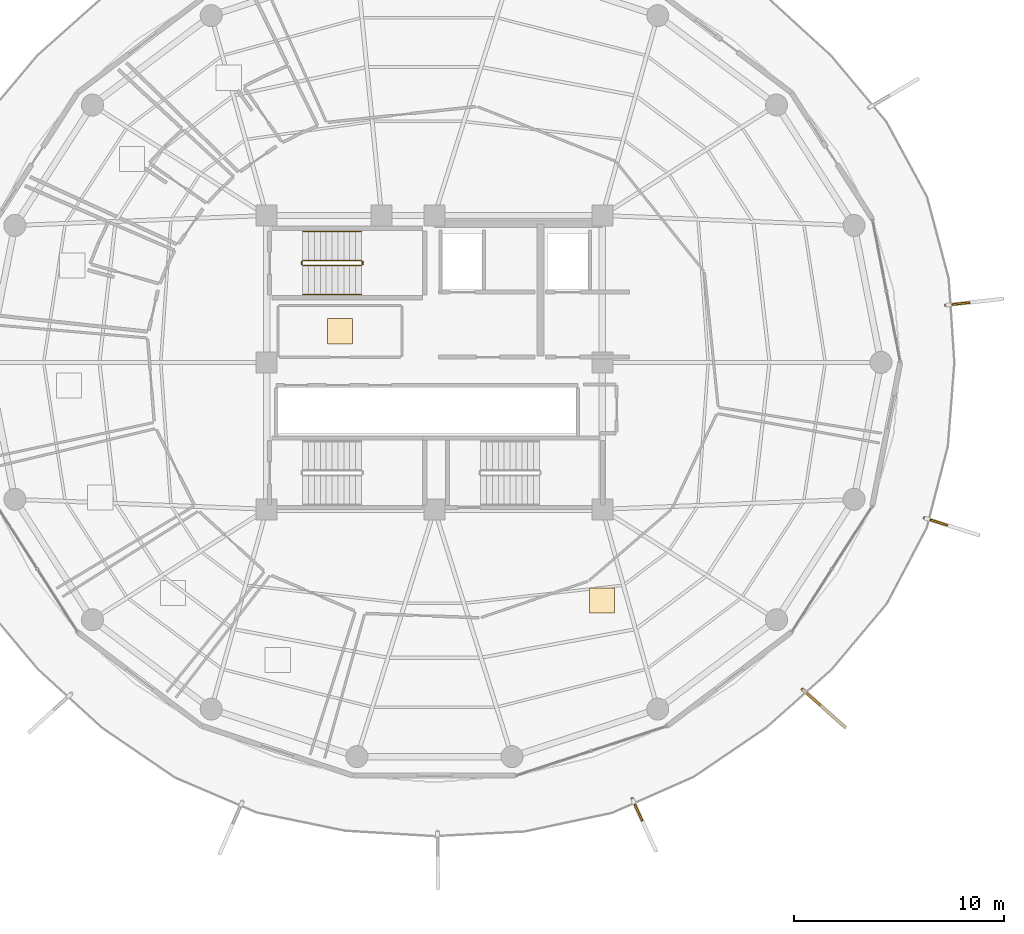
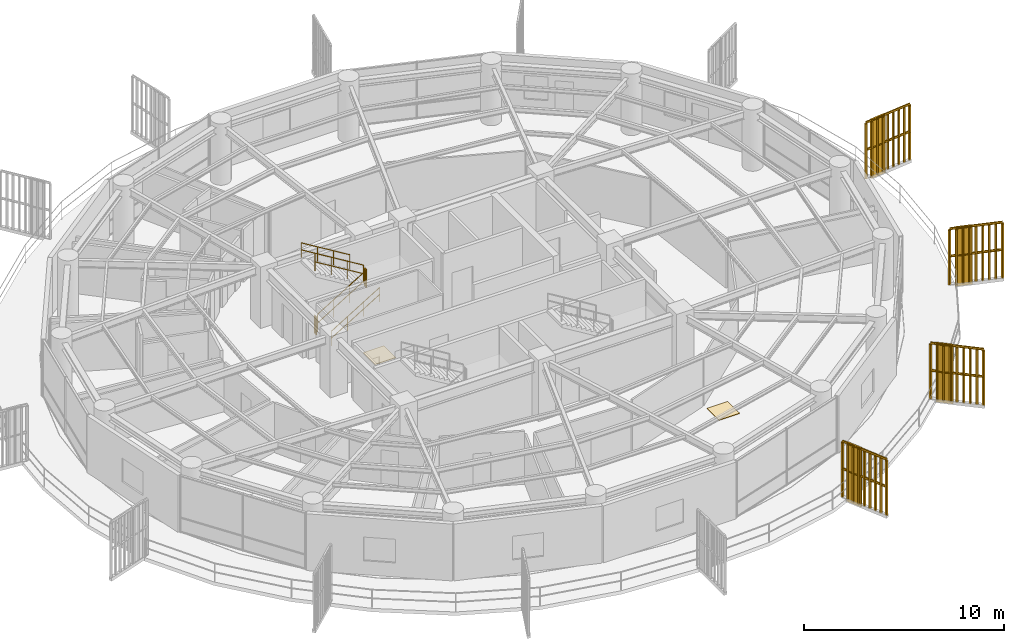
# One storey, part 30 of 31: 10 railings, 4 shading devices, 2 coverings.
"""IFC4 building model written with IfcOpenShell, lengths in metres."""

from ifc_helpers import new_model, si_unit, direction, frame, origin, origin_2d, place, context, subcontext, project, spatial, polyline, rectangle, outline, extrude, source, transform, mapped, material, layer, layer_set, type_object, element, save


model = new_model("IFC4")

# Units and contexts
model_context = context("Model", 3, precision=1e-05, world=origin(), true_north=direction((0.0, 1.0)))
body_context = subcontext(model_context, "Body", "Model", "MODEL_VIEW")
ifc_project = project(units=[si_unit("LENGTHUNIT", "METRE"), si_unit("AREAUNIT", "SQUARE_METRE"), si_unit("VOLUMEUNIT", "CUBIC_METRE"), si_unit("PLANEANGLEUNIT", "RADIAN"), si_unit("MASSUNIT", "GRAM", prefix="KILO")], contexts=[model_context])

# Site, building, storey
site_placement = place(None, origin())
site = spatial("IfcSite", under=ifc_project, at=site_placement, CompositionType="ELEMENT")
building_placement = place(site_placement, origin())
building = spatial("IfcBuilding", under=site, at=building_placement, Name="Kelanora Arch Commons", CompositionType="ELEMENT")
storey_placement = place(building_placement, frame((0.0, 0.0, 219.449951171875)))
storey = spatial("IfcBuildingStorey", under=building, at=storey_placement, Name="L56", CompositionType="ELEMENT", Elevation=219.449951171875)

# Railings
ifc_material_1 = material(Name="Anodised bronze vertical shading fin rib assembly")
railing_type_1 = type_object("IfcRailingType", Name="RAIL-FIN-BRZ", PredefinedType="BALUSTRADE", material=ifc_material_1)
railing_1_placement = place(storey_placement, frame((91.53271484375, 42.422607421875, -0.02001953125)))
element("IfcRailing", 1, at=railing_1_placement, inside=storey, type_object=railing_type_1, Name="Sweeping Bronze Vertical Fin Blade L56-00", PredefinedType="BALUSTRADE", context=body_context, shape_type="SweptSolid", body=[
    extrude(outline(polyline([(0.06982421875, 0.0), (0.034912109375, 0.060546875), (-0.034912109375, 0.060546875), (-0.06982421875, 0.0), (-0.034912109375, -0.060546875), (0.034912109375, -0.060546875), (0.06982421875, 0.0)])), frame((0.0, 0.0, 3.419921875), z_axis=(0.747588234078, -0.664162504413, 0.0), x_axis=(0.664162504413, 0.747588234078, 0.0)), (0.0, 0.0, 1.0), 2.7099609375),
    extrude(outline(polyline([(0.06982421875, 0.0), (0.034912109375, 0.060546875), (-0.034912109375, 0.060546875), (-0.06982421875, 0.0), (-0.034912109375, -0.060546875), (0.034912109375, -0.060546875), (0.06982421875, 0.0)])), frame((0.0, 0.0, 1.7451171875), z_axis=(0.747588234078, -0.664162504413, 0.0), x_axis=(0.664162504413, 0.747588234078, 0.0)), (0.0, 0.0, 1.0), 2.7099609375),
    extrude(outline(polyline([(0.080078125, 0.0), (0.0400390625, 0.0693359375), (-0.0400390625, 0.0693359375), (-0.080078125, 0.0), (-0.0400390625, -0.0693359375), (0.0400390625, -0.0693359375), (0.080078125, 0.0)])), origin(), (0.0, 0.0, 1.0), 3.35009765625),
    extrude(outline(polyline([(0.080078125, 0.0), (0.0400390625, 0.0693359375), (-0.0400390625, 0.0693359375), (-0.080078125, 0.0), (-0.0400390625, -0.0693359375), (0.0400390625, -0.0693359375), (0.080078125, 0.0)])), frame((0.253173828125, -0.22509765625, 0.0)), (0.0, 0.0, 1.0), 3.35009765625),
    extrude(outline(polyline([(0.080078125, 0.0), (0.0400390625, 0.0693359375), (-0.0400390625, 0.0693359375), (-0.080078125, 0.0), (-0.0400390625, -0.0693359375), (0.0400390625, -0.0693359375), (0.080078125, 0.0)])), frame((0.50634765625, -0.449951171875, 0.0)), (0.0, 0.0, 1.0), 3.35009765625),
    extrude(outline(polyline([(0.080078125, 0.0), (0.0400390625, 0.0693359375), (-0.0400390625, 0.0693359375), (-0.080078125, 0.0), (-0.0400390625, -0.0693359375), (0.0400390625, -0.0693359375), (0.080078125, 0.0)])), frame((0.759765625, -0.6748046875, 0.0)), (0.0, 0.0, 1.0), 3.35009765625),
    extrude(outline(polyline([(0.080078125, 0.0), (0.0400390625, 0.0693359375), (-0.0400390625, 0.0693359375), (-0.080078125, 0.0), (-0.0400390625, -0.0693359375), (0.0400390625, -0.0693359375), (0.080078125, 0.0)])), frame((1.012939453125, -0.89990234375, 0.0)), (0.0, 0.0, 1.0), 3.35009765625),
    extrude(outline(polyline([(0.080078125, 0.0), (0.0400390625, 0.0693359375), (-0.0400390625, 0.0693359375), (-0.080078125, 0.0), (-0.0400390625, -0.0693359375), (0.0400390625, -0.0693359375), (0.080078125, 0.0)])), frame((1.26611328125, -1.125, 0.0)), (0.0, 0.0, 1.0), 3.35009765625),
    extrude(outline(polyline([(0.080078125, 0.0), (0.0400390625, 0.0693359375), (-0.0400390625, 0.0693359375), (-0.080078125, 0.0), (-0.0400390625, -0.0693359375), (0.0400390625, -0.0693359375), (0.080078125, 0.0)])), frame((1.51953125, -1.349853515625, 0.0)), (0.0, 0.0, 1.0), 3.35009765625),
    extrude(outline(polyline([(0.080078125, 0.0), (0.0400390625, 0.0693359375), (-0.0400390625, 0.0693359375), (-0.080078125, 0.0), (-0.0400390625, -0.0693359375), (0.0400390625, -0.0693359375), (0.080078125, 0.0)])), frame((1.772705078125, -1.57470703125, 0.0)), (0.0, 0.0, 1.0), 3.35009765625),
    extrude(outline(polyline([(0.080078125, 0.0), (0.0400390625, 0.0693359375), (-0.0400390625, 0.0693359375), (-0.080078125, 0.0), (-0.0400390625, -0.0693359375), (0.0400390625, -0.0693359375), (0.080078125, 0.0)])), frame((2.02587890625, -1.7998046875, 0.0)), (0.0, 0.0, 1.0), 3.35009765625),
])
railing_2_placement = place(storey_placement, frame((97.346923828125, 50.5849609375, -0.02001953125)))
element("IfcRailing", 2, at=railing_2_placement, inside=storey, type_object=railing_type_1, Name="Sweeping Bronze Vertical Fin Blade L56-01", PredefinedType="BALUSTRADE", context=body_context, shape_type="SweptSolid", body=[
    extrude(outline(polyline([(0.06982421875, 0.0), (0.034912109375, 0.060546875), (-0.034912109375, 0.060546875), (-0.06982421875, 0.0), (-0.034912109375, -0.060546875), (0.034912109375, -0.060546875), (0.06982421875, 0.0)])), frame((0.0, 0.0, 3.419921875), z_axis=(0.953083016828, -0.302709040225, 0.0), x_axis=(0.302709040225, 0.953083016828, 0.0)), (0.0, 0.0, 1.0), 2.7099609375),
    extrude(outline(polyline([(0.06982421875, 0.0), (0.034912109375, 0.060546875), (-0.034912109375, 0.060546875), (-0.06982421875, 0.0), (-0.034912109375, -0.060546875), (0.034912109375, -0.060546875), (0.06982421875, 0.0)])), frame((0.0, 0.0, 1.7451171875), z_axis=(0.953083016828, -0.302709040225, 0.0), x_axis=(0.302709040225, 0.953083016828, 0.0)), (0.0, 0.0, 1.0), 2.7099609375),
    extrude(outline(polyline([(0.080078125, 0.0), (0.0400390625, 0.0693359375), (-0.0400390625, 0.0693359375), (-0.080078125, 0.0), (-0.0400390625, -0.0693359375), (0.0400390625, -0.0693359375), (0.080078125, 0.0)])), origin(), (0.0, 0.0, 1.0), 3.35009765625),
    extrude(outline(polyline([(0.080078125, 0.0), (0.0400390625, 0.0693359375), (-0.0400390625, 0.0693359375), (-0.080078125, 0.0), (-0.0400390625, -0.0693359375), (0.0400390625, -0.0693359375), (0.080078125, 0.0)])), frame((0.32275390625, -0.1025390625, 0.0)), (0.0, 0.0, 1.0), 3.35009765625),
    extrude(outline(polyline([(0.080078125, 0.0), (0.0400390625, 0.0693359375), (-0.0400390625, 0.0693359375), (-0.080078125, 0.0), (-0.0400390625, -0.0693359375), (0.0400390625, -0.0693359375), (0.080078125, 0.0)])), frame((0.645751953125, -0.205078125, 0.0)), (0.0, 0.0, 1.0), 3.35009765625),
    extrude(outline(polyline([(0.080078125, 0.0), (0.0400390625, 0.0693359375), (-0.0400390625, 0.0693359375), (-0.080078125, 0.0), (-0.0400390625, -0.0693359375), (0.0400390625, -0.0693359375), (0.080078125, 0.0)])), frame((0.968505859375, -0.3076171875, 0.0)), (0.0, 0.0, 1.0), 3.35009765625),
    extrude(outline(polyline([(0.080078125, 0.0), (0.0400390625, 0.0693359375), (-0.0400390625, 0.0693359375), (-0.080078125, 0.0), (-0.0400390625, -0.0693359375), (0.0400390625, -0.0693359375), (0.080078125, 0.0)])), frame((1.29150390625, -0.41015625, 0.0)), (0.0, 0.0, 1.0), 3.35009765625),
    extrude(outline(polyline([(0.080078125, 0.0), (0.0400390625, 0.0693359375), (-0.0400390625, 0.0693359375), (-0.080078125, 0.0), (-0.0400390625, -0.0693359375), (0.0400390625, -0.0693359375), (0.080078125, 0.0)])), frame((1.6142578125, -0.5126953125, 0.0)), (0.0, 0.0, 1.0), 3.35009765625),
    extrude(outline(polyline([(0.080078125, 0.0), (0.0400390625, 0.0693359375), (-0.0400390625, 0.0693359375), (-0.080078125, 0.0), (-0.0400390625, -0.0693359375), (0.0400390625, -0.0693359375), (0.080078125, 0.0)])), frame((1.93701171875, -0.615234375, 0.0)), (0.0, 0.0, 1.0), 3.35009765625),
    extrude(outline(polyline([(0.080078125, 0.0), (0.0400390625, 0.0693359375), (-0.0400390625, 0.0693359375), (-0.080078125, 0.0), (-0.0400390625, -0.0693359375), (0.0400390625, -0.0693359375), (0.080078125, 0.0)])), frame((2.260009765625, -0.7177734375, 0.0)), (0.0, 0.0, 1.0), 3.35009765625),
    extrude(outline(polyline([(0.080078125, 0.0), (0.0400390625, 0.0693359375), (-0.0400390625, 0.0693359375), (-0.080078125, 0.0), (-0.0400390625, -0.0693359375), (0.0400390625, -0.0693359375), (0.080078125, 0.0)])), frame((2.582763671875, -0.8203125, 0.0)), (0.0, 0.0, 1.0), 3.35009765625),
])
railing_3_placement = place(storey_placement, frame((98.367919921875, 60.724609375, -0.02001953125)))
element("IfcRailing", 3, at=railing_3_placement, inside=storey, type_object=railing_type_1, Name="Sweeping Bronze Vertical Fin Blade L56-02", PredefinedType="BALUSTRADE", context=body_context, shape_type="SweptSolid", body=[
    extrude(outline(polyline([(0.06982421875, 0.0), (0.034912109375, 0.060546875), (-0.034912109375, 0.060546875), (-0.06982421875, 0.0), (-0.034912109375, -0.060546875), (0.034912109375, -0.060546875), (0.06982421875, 0.0)])), frame((0.0, 0.0, 3.419921875), z_axis=(0.993801057085, 0.111173103476, 0.0), x_axis=(-0.111173103476, 0.993801057085, 0.0)), (0.0, 0.0, 1.0), 2.7099609375),
    extrude(outline(polyline([(0.06982421875, 0.0), (0.034912109375, 0.060546875), (-0.034912109375, 0.060546875), (-0.06982421875, 0.0), (-0.034912109375, -0.060546875), (0.034912109375, -0.060546875), (0.06982421875, 0.0)])), frame((0.0, 0.0, 1.7451171875), z_axis=(0.993801057085, 0.111173103476, 0.0), x_axis=(-0.111173103476, 0.993801057085, 0.0)), (0.0, 0.0, 1.0), 2.7099609375),
    extrude(outline(polyline([(0.080078125, 0.0), (0.0400390625, 0.0693359375), (-0.0400390625, 0.0693359375), (-0.080078125, 0.0), (-0.0400390625, -0.0693359375), (0.0400390625, -0.0693359375), (0.080078125, 0.0)])), origin(), (0.0, 0.0, 1.0), 3.35009765625),
    extrude(outline(polyline([(0.080078125, 0.0), (0.0400390625, 0.0693359375), (-0.0400390625, 0.0693359375), (-0.080078125, 0.0), (-0.0400390625, -0.0693359375), (0.0400390625, -0.0693359375), (0.080078125, 0.0)])), frame((0.336669921875, 0.03759765625, 0.0)), (0.0, 0.0, 1.0), 3.35009765625),
    extrude(outline(polyline([(0.080078125, 0.0), (0.0400390625, 0.0693359375), (-0.0400390625, 0.0693359375), (-0.080078125, 0.0), (-0.0400390625, -0.0693359375), (0.0400390625, -0.0693359375), (0.080078125, 0.0)])), frame((0.67333984375, 0.0751953125, 0.0)), (0.0, 0.0, 1.0), 3.35009765625),
    extrude(outline(polyline([(0.080078125, 0.0), (0.0400390625, 0.0693359375), (-0.0400390625, 0.0693359375), (-0.080078125, 0.0), (-0.0400390625, -0.0693359375), (0.0400390625, -0.0693359375), (0.080078125, 0.0)])), frame((1.010009765625, 0.113037109375, 0.0)), (0.0, 0.0, 1.0), 3.35009765625),
    extrude(outline(polyline([(0.080078125, 0.0), (0.0400390625, 0.0693359375), (-0.0400390625, 0.0693359375), (-0.080078125, 0.0), (-0.0400390625, -0.0693359375), (0.0400390625, -0.0693359375), (0.080078125, 0.0)])), frame((1.3466796875, 0.150634765625, 0.0)), (0.0, 0.0, 1.0), 3.35009765625),
    extrude(outline(polyline([(0.080078125, 0.0), (0.0400390625, 0.0693359375), (-0.0400390625, 0.0693359375), (-0.080078125, 0.0), (-0.0400390625, -0.0693359375), (0.0400390625, -0.0693359375), (0.080078125, 0.0)])), frame((1.68310546875, 0.188232421875, 0.0)), (0.0, 0.0, 1.0), 3.35009765625),
    extrude(outline(polyline([(0.080078125, 0.0), (0.0400390625, 0.0693359375), (-0.0400390625, 0.0693359375), (-0.080078125, 0.0), (-0.0400390625, -0.0693359375), (0.0400390625, -0.0693359375), (0.080078125, 0.0)])), frame((2.019775390625, 0.22607421875, 0.0)), (0.0, 0.0, 1.0), 3.35009765625),
    extrude(outline(polyline([(0.080078125, 0.0), (0.0400390625, 0.0693359375), (-0.0400390625, 0.0693359375), (-0.080078125, 0.0), (-0.0400390625, -0.0693359375), (0.0400390625, -0.0693359375), (0.080078125, 0.0)])), frame((2.3564453125, 0.263671875, 0.0)), (0.0, 0.0, 1.0), 3.35009765625),
    extrude(outline(polyline([(0.080078125, 0.0), (0.0400390625, 0.0693359375), (-0.0400390625, 0.0693359375), (-0.080078125, 0.0), (-0.0400390625, -0.0693359375), (0.0400390625, -0.0693359375), (0.080078125, 0.0)])), frame((2.693115234375, 0.30126953125, 0.0)), (0.0, 0.0, 1.0), 3.35009765625),
])
railing_4_placement = place(storey_placement, frame((83.426025390625, 37.201171875, -0.02001953125)))
element("IfcRailing", 4, at=railing_4_placement, inside=storey, type_object=railing_type_1, Name="Sweeping Bronze Vertical Fin Blade L56-14", PredefinedType="BALUSTRADE", context=body_context, shape_type="SweptSolid", body=[
    extrude(outline(polyline([(0.06982421875, 0.0), (0.034912109375, 0.060546875), (-0.034912109375, 0.060546875), (-0.06982421875, 0.0), (-0.034912109375, -0.060546875), (0.034912109375, -0.060546875), (0.06982421875, 0.0)])), frame((0.0, 0.0, 3.419921875), z_axis=(0.412798113202, -0.910822550081, 0.0), x_axis=(0.910822550081, 0.412798113202, 0.0)), (0.0, 0.0, 1.0), 2.7099609375),
    extrude(outline(polyline([(0.06982421875, 0.0), (0.034912109375, 0.060546875), (-0.034912109375, 0.060546875), (-0.06982421875, 0.0), (-0.034912109375, -0.060546875), (0.034912109375, -0.060546875), (0.06982421875, 0.0)])), frame((0.0, 0.0, 1.7451171875), z_axis=(0.412798113202, -0.910822550081, 0.0), x_axis=(0.910822550081, 0.412798113202, 0.0)), (0.0, 0.0, 1.0), 2.7099609375),
    extrude(outline(polyline([(0.080078125, 0.0), (0.0400390625, 0.0693359375), (-0.0400390625, 0.0693359375), (-0.080078125, 0.0), (-0.0400390625, -0.0693359375), (0.0400390625, -0.0693359375), (0.080078125, 0.0)])), origin(), (0.0, 0.0, 1.0), 3.35009765625),
    extrude(outline(polyline([(0.080078125, 0.0), (0.0400390625, 0.0693359375), (-0.0400390625, 0.0693359375), (-0.080078125, 0.0), (-0.0400390625, -0.0693359375), (0.0400390625, -0.0693359375), (0.080078125, 0.0)])), frame((0.139892578125, -0.30859375, 0.0)), (0.0, 0.0, 1.0), 3.35009765625),
    extrude(outline(polyline([(0.080078125, 0.0), (0.0400390625, 0.0693359375), (-0.0400390625, 0.0693359375), (-0.080078125, 0.0), (-0.0400390625, -0.0693359375), (0.0400390625, -0.0693359375), (0.080078125, 0.0)])), frame((0.27978515625, -0.6171875, 0.0)), (0.0, 0.0, 1.0), 3.35009765625),
    extrude(outline(polyline([(0.080078125, 0.0), (0.0400390625, 0.0693359375), (-0.0400390625, 0.0693359375), (-0.080078125, 0.0), (-0.0400390625, -0.0693359375), (0.0400390625, -0.0693359375), (0.080078125, 0.0)])), frame((0.41943359375, -0.925537109375, 0.0)), (0.0, 0.0, 1.0), 3.35009765625),
    extrude(outline(polyline([(0.080078125, 0.0), (0.0400390625, 0.0693359375), (-0.0400390625, 0.0693359375), (-0.080078125, 0.0), (-0.0400390625, -0.0693359375), (0.0400390625, -0.0693359375), (0.080078125, 0.0)])), frame((0.559326171875, -1.234130859375, 0.0)), (0.0, 0.0, 1.0), 3.35009765625),
    extrude(outline(polyline([(0.080078125, 0.0), (0.0400390625, 0.0693359375), (-0.0400390625, 0.0693359375), (-0.080078125, 0.0), (-0.0400390625, -0.0693359375), (0.0400390625, -0.0693359375), (0.080078125, 0.0)])), frame((0.69921875, -1.542724609375, 0.0)), (0.0, 0.0, 1.0), 3.35009765625),
    extrude(outline(polyline([(0.080078125, 0.0), (0.0400390625, 0.0693359375), (-0.0400390625, 0.0693359375), (-0.080078125, 0.0), (-0.0400390625, -0.0693359375), (0.0400390625, -0.0693359375), (0.080078125, 0.0)])), frame((0.8388671875, -1.85107421875, 0.0)), (0.0, 0.0, 1.0), 3.35009765625),
    extrude(outline(polyline([(0.080078125, 0.0), (0.0400390625, 0.0693359375), (-0.0400390625, 0.0693359375), (-0.080078125, 0.0), (-0.0400390625, -0.0693359375), (0.0400390625, -0.0693359375), (0.080078125, 0.0)])), frame((0.978759765625, -2.15966796875, 0.0)), (0.0, 0.0, 1.0), 3.35009765625),
    extrude(outline(polyline([(0.080078125, 0.0), (0.0400390625, 0.0693359375), (-0.0400390625, 0.0693359375), (-0.080078125, 0.0), (-0.0400390625, -0.0693359375), (0.0400390625, -0.0693359375), (0.080078125, 0.0)])), frame((1.11865234375, -2.46826171875, 0.0)), (0.0, 0.0, 1.0), 3.35009765625),
])
ifc_material_2 = material(Name="Painted steel stair well guard", Category="steel")
railing_type_2 = type_object("IfcRailingType", Name="RAIL-STAIR-GRD", PredefinedType="GUARDRAIL", material=ifc_material_2)
railing_5_placement = place(storey_placement, frame((67.719970703125, 62.610107421875, 0.17041015625)))
element("IfcRailing", 5, at=railing_5_placement, inside=storey, type_object=railing_type_2, Name="L56 ST-T1 stair guard 1", PredefinedType="GUARDRAIL", context=body_context, shape_type="SweptSolid", body=[
    extrude(outline(polyline([(0.02392578125, 0.0), (0.011962890625, 0.020751953125), (-0.011962890625, 0.020751953125), (-0.02392578125, 0.0), (-0.011962890625, -0.020751953125), (0.011962890625, -0.020751953125), (0.02392578125, 0.0)])), frame((0.0, 0.0, 1.076171875), z_axis=(0.854169791009, 0.0, 0.51999420009), x_axis=(0.0, 1.0, 0.0)), (0.0, 0.0, 1.0), 3.278076171875),
    extrude(outline(polyline([(0.02392578125, 0.0), (0.011962890625, 0.020751953125), (-0.011962890625, 0.020751953125), (-0.02392578125, 0.0), (-0.011962890625, -0.020751953125), (0.011962890625, -0.020751953125), (0.02392578125, 0.0)])), frame((0.0, 0.0, 0.550048828125), z_axis=(0.854169791009, 0.0, 0.51999420009), x_axis=(0.0, 1.0, 0.0)), (0.0, 0.0, 1.0), 3.278076171875),
    extrude(outline(polyline([(0.02099609375, 0.0), (0.010498046875, 0.01806640625), (-0.010498046875, 0.01806640625), (-0.02099609375, 0.0), (-0.010498046875, -0.01806640625), (0.010498046875, -0.01806640625), (0.02099609375, 0.0)])), origin(), (0.0, 0.0, 1.0), 1.052001953125),
    extrude(outline(polyline([(0.02099609375, 0.0), (0.010498046875, 0.01806640625), (-0.010498046875, 0.01806640625), (-0.02099609375, 0.0), (-0.010498046875, -0.01806640625), (0.010498046875, -0.01806640625), (0.02099609375, 0.0)])), frame((0.933349609375, 0.0, 0.568115234375)), (0.0, 0.0, 1.0), 1.052001953125),
    extrude(outline(polyline([(0.02099609375, 0.0), (0.010498046875, 0.01806640625), (-0.010498046875, 0.01806640625), (-0.02099609375, 0.0), (-0.010498046875, -0.01806640625), (0.010498046875, -0.01806640625), (0.02099609375, 0.0)])), frame((1.86669921875, 0.0, 1.136474609375)), (0.0, 0.0, 1.0), 1.052001953125),
    extrude(outline(polyline([(0.02099609375, 0.0), (0.010498046875, 0.01806640625), (-0.010498046875, 0.01806640625), (-0.02099609375, 0.0), (-0.010498046875, -0.01806640625), (0.010498046875, -0.01806640625), (0.02099609375, 0.0)])), frame((2.800048828125, 0.0, 1.70458984375)), (0.0, 0.0, 1.0), 1.052001953125),
])
railing_6_placement = place(storey_placement, frame((70.570068359375, 62.659912109375, 1.875)))
element("IfcRailing", 6, at=railing_6_placement, inside=storey, type_object=railing_type_2, Name="L56 ST-T1 stair guard 2", PredefinedType="GUARDRAIL", context=body_context, shape_type="SweptSolid", body=[
    extrude(outline(polyline([(0.02392578125, 0.0), (0.011962890625, 0.020751953125), (-0.011962890625, 0.020751953125), (-0.02392578125, 0.0), (-0.011962890625, -0.020751953125), (0.011962890625, -0.020751953125), (0.02392578125, 0.0)])), frame((0.0, 0.0, 1.076171875), z_axis=(0.0, 1.0, 0.0), x_axis=(-1.0, 0.0, 0.0)), (0.0, 0.0, 1.0), 0.150146484375),
    extrude(outline(polyline([(0.02392578125, 0.0), (0.011962890625, 0.020751953125), (-0.011962890625, 0.020751953125), (-0.02392578125, 0.0), (-0.011962890625, -0.020751953125), (0.011962890625, -0.020751953125), (0.02392578125, 0.0)])), frame((0.0, 0.0, 0.550048828125), z_axis=(0.0, 1.0, 0.0), x_axis=(-1.0, 0.0, 0.0)), (0.0, 0.0, 1.0), 0.150146484375),
    extrude(outline(polyline([(0.02099609375, 0.0), (0.010498046875, 0.01806640625), (-0.010498046875, 0.01806640625), (-0.02099609375, 0.0), (-0.010498046875, -0.01806640625), (0.010498046875, -0.01806640625), (0.02099609375, 0.0)])), origin(), (0.0, 0.0, 1.0), 1.052001953125),
    extrude(outline(polyline([(0.02099609375, 0.0), (0.010498046875, 0.01806640625), (-0.010498046875, 0.01806640625), (-0.02099609375, 0.0), (-0.010498046875, -0.01806640625), (0.010498046875, -0.01806640625), (0.02099609375, 0.0)])), frame((0.0, 0.150146484375, 0.0)), (0.0, 0.0, 1.0), 1.052001953125),
])
railing_7_placement = place(storey_placement, frame((70.52001953125, 62.860107421875, 2.04541015625)))
element("IfcRailing", 7, at=railing_7_placement, inside=storey, type_object=railing_type_2, Name="L56 ST-T1 stair guard 3", PredefinedType="GUARDRAIL", context=body_context, shape_type="SweptSolid", body=[
    extrude(outline(polyline([(0.02392578125, 0.0), (0.011962890625, 0.020751953125), (-0.011962890625, 0.020751953125), (-0.02392578125, 0.0), (-0.011962890625, -0.020751953125), (0.011962890625, -0.020751953125), (0.02392578125, 0.0)])), frame((0.0, 0.0, 1.076171875), z_axis=(-0.854169791009, 0.0, 0.51999420009), x_axis=(0.0, -1.0, 0.0)), (0.0, 0.0, 1.0), 3.278076171875),
    extrude(outline(polyline([(0.02392578125, 0.0), (0.011962890625, 0.020751953125), (-0.011962890625, 0.020751953125), (-0.02392578125, 0.0), (-0.011962890625, -0.020751953125), (0.011962890625, -0.020751953125), (0.02392578125, 0.0)])), frame((0.0, 0.0, 0.550048828125), z_axis=(-0.854169791009, 0.0, 0.51999420009), x_axis=(0.0, -1.0, 0.0)), (0.0, 0.0, 1.0), 3.278076171875),
    extrude(outline(polyline([(0.02099609375, 0.0), (0.010498046875, 0.01806640625), (-0.010498046875, 0.01806640625), (-0.02099609375, 0.0), (-0.010498046875, -0.01806640625), (0.010498046875, -0.01806640625), (0.02099609375, 0.0)])), origin(), (0.0, 0.0, 1.0), 1.052001953125),
    extrude(outline(polyline([(0.02099609375, 0.0), (0.010498046875, 0.01806640625), (-0.010498046875, 0.01806640625), (-0.02099609375, 0.0), (-0.010498046875, -0.01806640625), (0.010498046875, -0.01806640625), (0.02099609375, 0.0)])), frame((-0.933349609375, 0.0, 0.568115234375)), (0.0, 0.0, 1.0), 1.052001953125),
    extrude(outline(polyline([(0.02099609375, 0.0), (0.010498046875, 0.01806640625), (-0.010498046875, 0.01806640625), (-0.02099609375, 0.0), (-0.010498046875, -0.01806640625), (0.010498046875, -0.01806640625), (0.02099609375, 0.0)])), frame((-1.86669921875, 0.0, 1.136474609375)), (0.0, 0.0, 1.0), 1.052001953125),
    extrude(outline(polyline([(0.02099609375, 0.0), (0.010498046875, 0.01806640625), (-0.010498046875, 0.01806640625), (-0.02099609375, 0.0), (-0.010498046875, -0.01806640625), (0.010498046875, -0.01806640625), (0.02099609375, 0.0)])), frame((-2.800048828125, 0.0, 1.70458984375)), (0.0, 0.0, 1.0), 1.052001953125),
])
railing_8_placement = place(storey_placement, frame((67.669921875, 62.659912109375, 0.0)))
element("IfcRailing", 8, at=railing_8_placement, inside=storey, type_object=railing_type_2, Name="L56 ST-T1 stair guard 4", PredefinedType="GUARDRAIL", context=body_context, shape_type="SweptSolid", body=[
    extrude(outline(polyline([(0.02392578125, 0.0), (0.011962890625, 0.020751953125), (-0.011962890625, 0.020751953125), (-0.02392578125, 0.0), (-0.011962890625, -0.020751953125), (0.011962890625, -0.020751953125), (0.02392578125, 0.0)])), frame((0.0, 0.0, 1.076171875), z_axis=(0.0, 1.0, 0.0), x_axis=(-1.0, 0.0, 0.0)), (0.0, 0.0, 1.0), 0.150146484375),
    extrude(outline(polyline([(0.02392578125, 0.0), (0.011962890625, 0.020751953125), (-0.011962890625, 0.020751953125), (-0.02392578125, 0.0), (-0.011962890625, -0.020751953125), (0.011962890625, -0.020751953125), (0.02392578125, 0.0)])), frame((0.0, 0.0, 0.550048828125), z_axis=(0.0, 1.0, 0.0), x_axis=(-1.0, 0.0, 0.0)), (0.0, 0.0, 1.0), 0.150146484375),
    extrude(outline(polyline([(0.02099609375, 0.0), (0.010498046875, 0.01806640625), (-0.010498046875, 0.01806640625), (-0.02099609375, 0.0), (-0.010498046875, -0.01806640625), (0.010498046875, -0.01806640625), (0.02099609375, 0.0)])), origin(), (0.0, 0.0, 1.0), 1.052001953125),
    extrude(outline(polyline([(0.02099609375, 0.0), (0.010498046875, 0.01806640625), (-0.010498046875, 0.01806640625), (-0.02099609375, 0.0), (-0.010498046875, -0.01806640625), (0.010498046875, -0.01806640625), (0.02099609375, 0.0)])), frame((0.0, 0.150146484375, 0.0)), (0.0, 0.0, 1.0), 1.052001953125),
])
ifc_material_3 = material(Name="Brushed stainless steel stair handrail", Category="steel")
railing_type_3 = type_object("IfcRailingType", Name="RAIL-STAIR-HND", PredefinedType="HANDRAIL", material=ifc_material_3)
railing_9_placement = place(storey_placement, frame((67.719970703125, 61.22998046875, 0.17041015625)))
element("IfcRailing", 9, at=railing_9_placement, inside=storey, type_object=railing_type_3, Name="L56 ST-T1 stair handrail 1", PredefinedType="HANDRAIL", context=body_context, shape_type="SweptSolid", body=[
    extrude(outline(polyline([(0.02392578125, 0.0), (0.011962890625, 0.020751953125), (-0.011962890625, 0.020751953125), (-0.02392578125, 0.0), (-0.011962890625, -0.020751953125), (0.011962890625, -0.020751953125), (0.02392578125, 0.0)])), frame((0.0, 0.0, 0.8759765625), z_axis=(0.854169791009, 0.0, 0.51999420009), x_axis=(0.0, 1.0, 0.0)), (0.0, 0.0, 1.0), 3.278076171875),
    extrude(outline(polyline([(0.02392578125, 0.0), (0.011962890625, 0.020751953125), (-0.011962890625, 0.020751953125), (-0.02392578125, 0.0), (-0.011962890625, -0.020751953125), (0.011962890625, -0.020751953125), (0.02392578125, 0.0)])), frame((0.0, 0.0, 0.449951171875), z_axis=(0.854169791009, 0.0, 0.51999420009), x_axis=(0.0, 1.0, 0.0)), (0.0, 0.0, 1.0), 3.278076171875),
    extrude(outline(polyline([(0.02099609375, 0.0), (0.010498046875, 0.01806640625), (-0.010498046875, 0.01806640625), (-0.02099609375, 0.0), (-0.010498046875, -0.01806640625), (0.010498046875, -0.01806640625), (0.02099609375, 0.0)])), origin(), (0.0, 0.0, 1.0), 0.851806640625),
    extrude(outline(polyline([(0.02099609375, 0.0), (0.010498046875, 0.01806640625), (-0.010498046875, 0.01806640625), (-0.02099609375, 0.0), (-0.010498046875, -0.01806640625), (0.010498046875, -0.01806640625), (0.02099609375, 0.0)])), frame((0.933349609375, 0.0, 0.568115234375)), (0.0, 0.0, 1.0), 0.851806640625),
    extrude(outline(polyline([(0.02099609375, 0.0), (0.010498046875, 0.01806640625), (-0.010498046875, 0.01806640625), (-0.02099609375, 0.0), (-0.010498046875, -0.01806640625), (0.010498046875, -0.01806640625), (0.02099609375, 0.0)])), frame((1.86669921875, 0.0, 1.136474609375)), (0.0, 0.0, 1.0), 0.851806640625),
    extrude(outline(polyline([(0.02099609375, 0.0), (0.010498046875, 0.01806640625), (-0.010498046875, 0.01806640625), (-0.02099609375, 0.0), (-0.010498046875, -0.01806640625), (0.010498046875, -0.01806640625), (0.02099609375, 0.0)])), frame((2.800048828125, 0.0, 1.70458984375)), (0.0, 0.0, 1.0), 0.851806640625),
])
railing_10_placement = place(storey_placement, frame((70.52001953125, 64.239990234375, 2.04541015625)))
element("IfcRailing", 10, at=railing_10_placement, inside=storey, type_object=railing_type_3, Name="L56 ST-T1 stair handrail 2", PredefinedType="HANDRAIL", context=body_context, shape_type="SweptSolid", body=[
    extrude(outline(polyline([(0.02392578125, 0.0), (0.011962890625, 0.020751953125), (-0.011962890625, 0.020751953125), (-0.02392578125, 0.0), (-0.011962890625, -0.020751953125), (0.011962890625, -0.020751953125), (0.02392578125, 0.0)])), frame((0.0, 0.0, 0.8759765625), z_axis=(-0.854169791009, 0.0, 0.51999420009), x_axis=(0.0, -1.0, 0.0)), (0.0, 0.0, 1.0), 3.278076171875),
    extrude(outline(polyline([(0.02392578125, 0.0), (0.011962890625, 0.020751953125), (-0.011962890625, 0.020751953125), (-0.02392578125, 0.0), (-0.011962890625, -0.020751953125), (0.011962890625, -0.020751953125), (0.02392578125, 0.0)])), frame((0.0, 0.0, 0.449951171875), z_axis=(-0.854169791009, 0.0, 0.51999420009), x_axis=(0.0, -1.0, 0.0)), (0.0, 0.0, 1.0), 3.278076171875),
    extrude(outline(polyline([(0.02099609375, 0.0), (0.010498046875, 0.01806640625), (-0.010498046875, 0.01806640625), (-0.02099609375, 0.0), (-0.010498046875, -0.01806640625), (0.010498046875, -0.01806640625), (0.02099609375, 0.0)])), origin(), (0.0, 0.0, 1.0), 0.851806640625),
    extrude(outline(polyline([(0.02099609375, 0.0), (0.010498046875, 0.01806640625), (-0.010498046875, 0.01806640625), (-0.02099609375, 0.0), (-0.010498046875, -0.01806640625), (0.010498046875, -0.01806640625), (0.02099609375, 0.0)])), frame((-0.933349609375, 0.0, 0.568115234375)), (0.0, 0.0, 1.0), 0.851806640625),
    extrude(outline(polyline([(0.02099609375, 0.0), (0.010498046875, 0.01806640625), (-0.010498046875, 0.01806640625), (-0.02099609375, 0.0), (-0.010498046875, -0.01806640625), (0.010498046875, -0.01806640625), (0.02099609375, 0.0)])), frame((-1.86669921875, 0.0, 1.136474609375)), (0.0, 0.0, 1.0), 0.851806640625),
    extrude(outline(polyline([(0.02099609375, 0.0), (0.010498046875, 0.01806640625), (-0.010498046875, 0.01806640625), (-0.02099609375, 0.0), (-0.010498046875, -0.01806640625), (0.010498046875, -0.01806640625), (0.02099609375, 0.0)])), frame((-2.800048828125, 0.0, 1.70458984375)), (0.0, 0.0, 1.0), 0.851806640625),
])

# Shading devices
ifc_material_4 = material(Name="Terracotta ceramic-clad extruded aluminium fin", Category="masonry")
shading_device_type = type_object("IfcShadingDeviceType", Name="SHD-FIN-FLARE", PredefinedType="USERDEFINED", material=ifc_material_4)
shared_shape_1 = source(origin(), body_context, "Body", "SweptSolid", [
    extrude(rectangle(XDim=0.8798828125, YDim=0.090087890625, at=origin_2d()), origin(), (0.0, 0.0, 1.0), 3.610107421875),
])
for number, where, z_axis, x_axis, name in (
    (11, (92.071044921875, 41.944580078125, -0.14013671875), (0.0, 0.0, 1.0), (0.747566290977, -0.664187202975, 0.0), "Sweeping Terracotta Fin L56-00"),
    (12, (98.033203125, 50.366943359375, -0.14013671875), (0.0, 0.0, 1.0), (0.95308506272, -0.302702598633, 0.0), "Sweeping Terracotta Fin L56-01"),
    (13, (99.08349609375, 60.8046875, -0.14013671875), (0.0, 0.0, 1.0), (0.993806768614, 0.111122034978, 0.0), "Sweeping Terracotta Fin L56-02"),
    (14, (83.72314453125, 36.54541015625, -0.14013671875), (0.0, 0.0, 1.0), (0.412786516097, -0.91082780597, 0.0), "Sweeping Terracotta Fin L56-14"),
):
    element("IfcShadingDevice", number, at=place(storey_placement, frame(where, z_axis=z_axis, x_axis=x_axis)), inside=storey, type_object=shading_device_type, Name=name, ObjectType="FIN", PredefinedType="USERDEFINED", context=body_context, shape_type="MappedRepresentation", body=[
        mapped(shared_shape_1, transform((0.0, 0.0, 0.0), scale=1.0)),
    ])

# Coverings
ifc_material_5 = material(Name="Polished local granite terrazzo flooring", Category="masonry")
ifc_layer = layer(ifc_material_5, 0.030029296875)
ifc_layer_set = layer_set([ifc_layer], Name="Polished local granite terrazzo flooring")
covering_type = type_object("IfcCoveringType", Name="COV-FLR-TER", PredefinedType="FLOORING", material=ifc_layer_set)
shared_shape_2 = source(origin(), body_context, "Body", "SweptSolid", [
    extrude(rectangle(XDim=1.199951171875, YDim=1.199951171875, at=origin_2d()), origin(), (0.0, 0.0, 1.0), 0.030029296875),
])
for number, where, z_axis, x_axis, name in (
    (15, (69.5, 59.485107421875, 0.0), (0.0, 0.0, 1.0), (1.0, 0.0, 0.0), "Reclaimed Core Study Pod Lounge L56 Terrazzo Finish"),
    (16, (81.986083984375, 46.6513671875, 0.0), (0.0, 0.0, 1.0), (1.0, 0.0, 0.0), "South-East Social Sky Lounge L56 Terrazzo Finish"),
):
    element("IfcCovering", number, at=place(storey_placement, frame(where, z_axis=z_axis, x_axis=x_axis)), inside=storey, type_object=covering_type, Name=name, PredefinedType="FLOORING", context=body_context, shape_type="MappedRepresentation", body=[
        mapped(shared_shape_2, transform((0.0, 0.0, 0.0), scale=1.0)),
    ])

save(model, "model.ifc")
